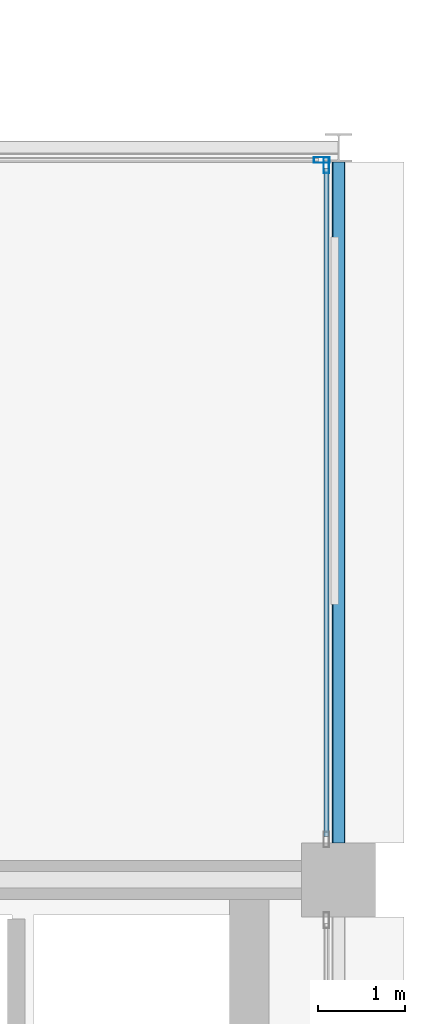
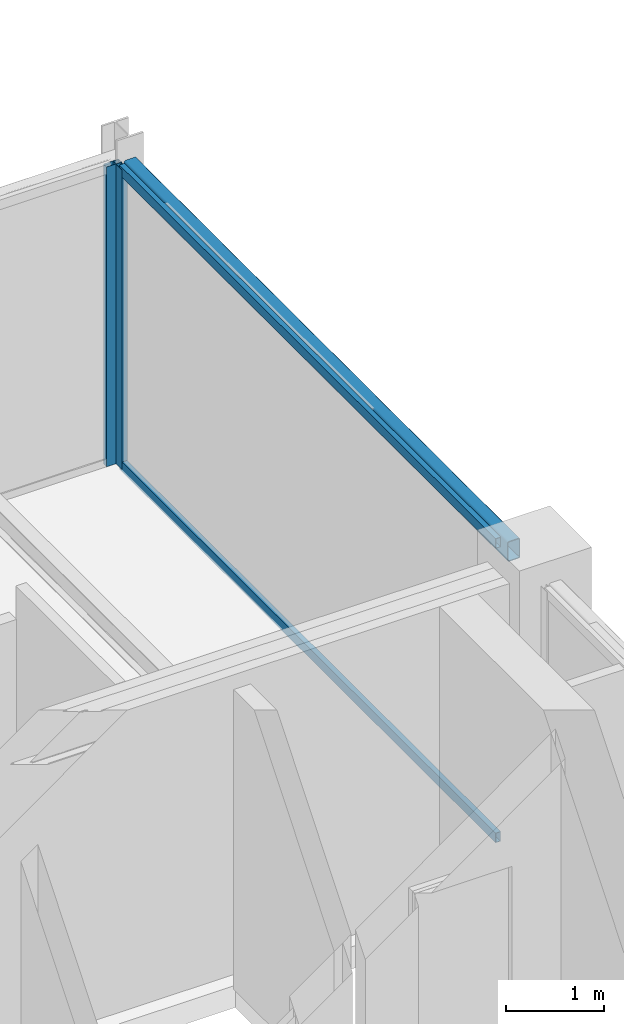
# One storey, part 15 of 25: 4 members, 1 beam, 2 elements without a shape of their own.
"""IFC4 building model written with IfcOpenShell, lengths in metres."""

import ifcopenshell
import ifcopenshell.guid

model = None  # the IFC model being written
_history = None  # IfcOwnerHistory: only IFC2X3 demands one
_inside = {}  # id of a spatial element -> (the spatial element, [elements in it])
_under = {}  # id of a project, library or spatial element -> (it, [spatial elements below it])
_declared = {}  # id of a project -> (the project, [libraries it declares])
_typed = {}  # id of a type object -> (the type object, [elements of that type])
_made_of = {}  # id of a material, layer set ... -> (it, [elements and type objects made of it])


def new_model(schema):
    """Start an empty IFC model of exactly this schema.

    Asked for "IFC4X3", IfcOpenShell would pick the latest addendum, in which some entities
    have other attributes; the version numbers below select the first issue.
    IFC2X3 requires an IfcOwnerHistory on every rooted entity: one is made here for all.
    """
    global model, _history
    if schema == "IFC4X3":
        model = ifcopenshell.file(schema_version=(4, 3, 0, 0))
    else:
        model = ifcopenshell.file(schema=schema)
    _inside.clear()
    _under.clear()
    _declared.clear()
    _typed.clear()
    _made_of.clear()
    _history = None
    if model.schema == "IFC2X3":
        org = make("IfcOrganization", Name="unknown")
        user = make(
            "IfcPersonAndOrganization",
            ThePerson=make("IfcPerson", FamilyName="unknown"),
            TheOrganization=org,
        )
        app = make(
            "IfcApplication",
            ApplicationDeveloper=org,
            Version="unknown",
            ApplicationFullName="unknown",
            ApplicationIdentifier="unknown",
        )
        _history = make(
            "IfcOwnerHistory",
            OwningUser=user,
            OwningApplication=app,
            ChangeAction="ADDED",
            CreationDate=0,
        )
    return model


def make(cls, **values):
    """One entity of the class cls with the attributes given. An attribute that is None is left unset."""
    return model.create_entity(
        cls, **{name: value for name, value in values.items() if value is not None}
    )


def rooted(cls, **values):
    """An entity with a GlobalId (a new one), such as an element, a storey or a relation."""
    return make(cls, GlobalId=ifcopenshell.guid.new(), OwnerHistory=_history, **values)


def si_unit(unit_type, name, prefix=None):
    """IfcSIUnit, for example si_unit("LENGTHUNIT", "METRE", prefix="MILLI")."""
    return make("IfcSIUnit", UnitType=unit_type, Prefix=prefix, Name=name)


def assignment(units):
    """IfcUnitAssignment: the units of a project."""
    return None if units is None else make("IfcUnitAssignment", Units=units)


def point(xyz):
    """IfcCartesianPoint."""
    return None if xyz is None else make("IfcCartesianPoint", Coordinates=xyz)


def direction(xyz):
    """IfcDirection."""
    return None if xyz is None else make("IfcDirection", DirectionRatios=xyz)


def frame(location, z_axis=None, x_axis=None):
    """IfcAxis2Placement3D, a coordinate frame: its origin and axes. An axis left out is left unset."""
    return make(
        "IfcAxis2Placement3D",
        Location=point(location),
        Axis=direction(z_axis),
        RefDirection=direction(x_axis),
    )


def frame_2d(location, x_axis=None):
    """IfcAxis2Placement2D, a coordinate frame in the plane: its origin and x axis."""
    return make(
        "IfcAxis2Placement2D", Location=point(location), RefDirection=direction(x_axis)
    )


def origin():
    """The frame at (0, 0, 0) with its axes left unset."""
    return frame((0.0, 0.0, 0.0))


def origin_2d():
    """The frame at (0, 0) in the plane with its x axis left unset."""
    return frame_2d((0.0, 0.0))


def place(relative_to, where):
    """IfcLocalPlacement: puts the frame where relative to a parent placement (None: the world)."""
    return make(
        "IfcLocalPlacement", PlacementRelTo=relative_to, RelativePlacement=where
    )


def context(
    kind, dimensions, precision=None, world=None, true_north=None, identifier=None
):
    """IfcGeometricRepresentationContext, for example the 3D "Model" context."""
    return make(
        "IfcGeometricRepresentationContext",
        ContextIdentifier=identifier,
        ContextType=kind,
        CoordinateSpaceDimension=dimensions,
        Precision=precision,
        WorldCoordinateSystem=world,
        TrueNorth=true_north,
    )


def subcontext(parent, identifier, kind, view, scale=None):
    """IfcGeometricRepresentationSubContext, for example "Body" below "Model"."""
    return make(
        "IfcGeometricRepresentationSubContext",
        ContextIdentifier=identifier,
        ContextType=kind,
        ParentContext=parent,
        TargetScale=scale,
        TargetView=view,
    )


def project(units=None, contexts=None):
    """IfcProject with its units and contexts."""
    return rooted(
        "IfcProject",
        Name="project",
        RepresentationContexts=contexts,
        UnitsInContext=assignment(units),
    )


def spatial(cls, under=None, at=None, **own):
    """A site, building, storey or space (cls), placed at a placement, below another one or the project."""
    s = rooted(cls, ObjectPlacement=at, **own)
    if under is not None:
        _under.setdefault(under.id(), (under, []))[1].append(s)
    return s


def profile(cls, at=None, kind="AREA", **sizes):
    """A parametric profile (cls). Its sizes go by their IFC names, for example OverallWidth=200.0."""
    return make(cls, ProfileType=kind, Position=at, **sizes)


def hollow_rectangle(**sizes):
    """IfcRectangleHollowProfileDef."""
    return profile("IfcRectangleHollowProfileDef", **sizes)


def extrude(swept, where, along, depth):
    """IfcExtrudedAreaSolid: the profile swept, set in the frame where, extruded along a direction by depth."""
    return make(
        "IfcExtrudedAreaSolid",
        SweptArea=swept,
        Position=where,
        ExtrudedDirection=direction(along),
        Depth=depth,
    )


def shape(context_of_items, identifier, shape_type, items):
    """IfcShapeRepresentation: the items that make up one representation, for example the "Body"."""
    return make(
        "IfcShapeRepresentation",
        ContextOfItems=context_of_items,
        RepresentationIdentifier=identifier,
        RepresentationType=shape_type,
        Items=items,
    )


def material(Name=None, Category=None):
    """IfcMaterial."""
    return make("IfcMaterial", Name=Name, Category=Category)


def layer(
    of_material, thickness, ventilated=None, Name=None, Category=None, Priority=None
):
    """IfcMaterialLayer: one layer of a wall or slab, of a material (None: an air gap)."""
    return make(
        "IfcMaterialLayer",
        Material=of_material,
        LayerThickness=thickness,
        IsVentilated=ventilated,
        Name=Name,
        Category=Category,
        Priority=Priority,
    )


def layer_set(layers, Name=None):
    """IfcMaterialLayerSet."""
    return make("IfcMaterialLayerSet", MaterialLayers=layers, LayerSetName=Name)


def material_profile(
    of_material, cross_section, Name=None, Category=None, Priority=None
):
    """IfcMaterialProfile: a cross section and its material."""
    return make(
        "IfcMaterialProfile",
        Name=Name,
        Material=of_material,
        Profile=cross_section,
        Priority=Priority,
        Category=Category,
    )


def profile_set(profiles, Name=None, composite=None):
    """IfcMaterialProfileSet."""
    return make(
        "IfcMaterialProfileSet",
        Name=Name,
        MaterialProfiles=profiles,
        CompositeProfile=composite,
    )


def made_of(thing, what):
    """Note that an element or type object is made of a material, layer set ...; save() writes the relation."""
    if what is not None:
        _made_of.setdefault(what.id(), (what, []))[1].append(thing)
    return thing


def type_object(cls, material=None, **own):
    """A type object (cls), such as IfcWallType, which elements share."""
    return made_of(rooted(cls, **own), material)


def element(
    cls,
    number,
    at=None,
    inside=None,
    cuts=None,
    type_object=None,
    material=None,
    context=None,
    identifier="Body",
    shape_type=None,
    held_by="IfcProductDefinitionShape",
    body=None,
    shapes=None,
    **own,
):
    """One element of the class cls, such as IfcWall. Its Tag is "e" and its number.

    at: its placement. inside: the storey or other place that contains it. cuts: it is an
    opening in that element (IfcRelVoidsElement). A single representation is given by context,
    identifier, shape_type and body (its items); several are given by shapes. held_by: the class
    of the entity that holds the representations. save() writes the other relations.
    """
    e = rooted(cls, Tag="e%d" % number, ObjectPlacement=at, **own)
    if body is not None:
        shapes = [shape(context, identifier, shape_type, body)]
    if shapes is not None:
        e.Representation = make(held_by, Representations=shapes)
    if inside is not None:
        _inside.setdefault(inside.id(), (inside, []))[1].append(e)
    if cuts is not None:
        rooted(
            "IfcRelVoidsElement", RelatingBuildingElement=cuts, RelatedOpeningElement=e
        )
    if type_object is not None:
        _typed.setdefault(type_object.id(), (type_object, []))[1].append(e)
    return made_of(e, material)


def aggregate(whole, parts):
    """IfcRelAggregates: a whole, such as a stair, and the parts it consists of."""
    return rooted("IfcRelAggregates", RelatingObject=whole, RelatedObjects=parts)


def save(model, path):
    """Write the relations noted so far, then the file.

    IfcRelAggregates (storeys below a building ...), IfcRelContainedInSpatialStructure (elements
    in a storey), IfcRelDefinesByType, IfcRelAssociatesMaterial and IfcRelDeclares: one each for
    every whole, place, type object, material and project.
    """
    for whole, parts in _under.values():
        aggregate(whole, parts)
    for where, things in _inside.values():
        rooted(
            "IfcRelContainedInSpatialStructure",
            RelatedElements=things,
            RelatingStructure=where,
        )
    for kind, things in _typed.values():
        rooted("IfcRelDefinesByType", RelatedObjects=things, RelatingType=kind)
    for what, things in _made_of.values():
        rooted("IfcRelAssociatesMaterial", RelatedObjects=things, RelatingMaterial=what)
    for by, libraries in _declared.values():
        rooted("IfcRelDeclares", RelatingContext=by, RelatedDefinitions=libraries)
    model.write(path)


model = new_model("IFC4")

# Units and contexts
model_context = context("Model", 3, precision=1e-05, world=origin(), true_north=direction((0.0, 1.0)))
body_context = subcontext(model_context, "Body", "Model", "MODEL_VIEW")
ifc_project = project(units=[si_unit("LENGTHUNIT", "METRE"), si_unit("AREAUNIT", "SQUARE_METRE"), si_unit("VOLUMEUNIT", "CUBIC_METRE"), si_unit("PLANEANGLEUNIT", "RADIAN"), si_unit("MASSUNIT", "GRAM", prefix="KILO")], contexts=[model_context])

# Site, building, storey
site_placement = place(None, origin())
site = spatial("IfcSite", under=ifc_project, at=site_placement, CompositionType="ELEMENT")
building_placement = place(site_placement, origin())
building = spatial("IfcBuilding", under=site, at=building_placement, Name="Nerrivon Quay Data Exchange", CompositionType="ELEMENT")
storey_placement = place(building_placement, frame((0.0, 0.0, 302.199951171875)))
storey = spatial("IfcBuildingStorey", under=building, at=storey_placement, Name="L72", CompositionType="ELEMENT", Elevation=302.199951171875)

# Beam
ifc_material_1 = material(Name="Steel Grade C350L0 (350 MPa)", Category="steel")
ifc_material_profile_1 = material_profile(ifc_material_1, hollow_rectangle(XDim=0.14990234375, YDim=0.25, WallThickness=0.009033203125, InnerFilletRadius=0.013427734375, OuterFilletRadius=0.0224609375, at=origin_2d()), Name="250x150x9.0RHS")
ifc_profile_set_1 = profile_set([ifc_material_profile_1], Name="Steel Grade C350L0 (350 MPa)")
beam_type = type_object("IfcBeamType", Name="BM-SP4-250x150RHS", PredefinedType="SPANDREL", material=ifc_profile_set_1)
beam_placement = place(storey_placement, frame((33.60009765625, 17.22509765625, 3.60009765625), z_axis=(0.0, 1.0, 0.0), x_axis=(-1.0, 0.0, 0.0)))
element("IfcBeam", 1, at=beam_placement, inside=storey, type_object=beam_type, Name="L72 NS Girder X=33.6 (16.8..25.2)", PredefinedType="SPANDREL", context=body_context, shape_type="SweptSolid", body=[
    extrude(hollow_rectangle(XDim=0.14990234375, YDim=0.25, WallThickness=0.009033203125, InnerFilletRadius=0.013427734375, OuterFilletRadius=0.0224609375, at=origin_2d()), origin(), (0.0, 0.0, 1.0), 7.8115234375),
])

# Curtain wall, member
ifc_material_2 = material(Name="Anodised aluminium 6063-T6", Category="aluminium")
ifc_layer = layer(ifc_material_2, 0.195068359375)
ifc_layer_set = layer_set([ifc_layer], Name="Anodised aluminium 6063-T6")
curtain_wall_type = type_object("IfcCurtainWallType", Name="CW-SYS-06", PredefinedType="NOTDEFINED", material=ifc_layer_set)
curtain_wall_1_placement = place(storey_placement, origin())
curtain_wall_1 = element("IfcCurtainWall", 2, at=curtain_wall_1_placement, inside=storey, type_object=curtain_wall_type, Name="L72 Unitised Curtain Wall 21", PredefinedType="NOTDEFINED")
ifc_material_profile_2 = material_profile(ifc_material_2, hollow_rectangle(XDim=0.06494140625, YDim=0.179931640625, WallThickness=0.00341796875, at=origin_2d()), Name="ALU-MULL-180x65")
ifc_profile_set_2 = profile_set([ifc_material_profile_2], Name="Anodised aluminium 6063-T6")
member_type_1 = type_object("IfcMemberType", Name="CWM-180x65", PredefinedType="MULLION", material=ifc_profile_set_2)
member_1_placement = place(storey_placement, frame((33.406982421875, 25.06005859375, 0.0), z_axis=(0.0, 0.0, 1.0), x_axis=(0.0, 1.0, 0.0)))
member_1 = element("IfcMember", 3, at=member_1_placement, type_object=member_type_1, Name="CW06 mullion 2", PredefinedType="MULLION", context=body_context, shape_type="SweptSolid", body=[
    extrude(hollow_rectangle(XDim=0.06494140625, YDim=0.179931640625, WallThickness=0.00341796875, at=origin_2d()), origin(), (0.0, 0.0, 1.0), 3.72509765625),
])
aggregate(curtain_wall_1, [member_1])

# Curtain wall, members
curtain_wall_2_placement = place(storey_placement, origin())
curtain_wall_2 = element("IfcCurtainWall", 4, at=curtain_wall_2_placement, inside=storey, type_object=curtain_wall_type, Name="L72 Unitised Curtain Wall 22", PredefinedType="NOTDEFINED")
member_2_placement = place(storey_placement, frame((33.4599609375, 24.9990234375, 0.0), z_axis=(0.0, 0.0, 1.0), x_axis=(1.0, 0.0, 0.0)))
member_2 = element("IfcMember", 5, at=member_2_placement, type_object=member_type_1, Name="CW06 mullion 1", PredefinedType="MULLION", context=body_context, shape_type="SweptSolid", body=[
    extrude(hollow_rectangle(XDim=0.06494140625, YDim=0.179931640625, WallThickness=0.00341796875, at=origin_2d()), origin(), (0.0, 0.0, 1.0), 3.72509765625),
])
ifc_material_profile_3 = material_profile(ifc_material_2, hollow_rectangle(XDim=0.06005859375, YDim=0.1201171875, WallThickness=0.003173828125, at=origin_2d()), Name="ALU-TRAN-120x60")
ifc_profile_set_3 = profile_set([ifc_material_profile_3], Name="Anodised aluminium 6063-T6")
member_type_2 = type_object("IfcMemberType", Name="CWT-120x60", PredefinedType="USERDEFINED", material=ifc_profile_set_3)
member_3_placement = place(storey_placement, frame((33.4599609375, 24.96142578125, 0.032470703125), z_axis=(0.0, -1.0, 0.0), x_axis=(1.0, 0.0, 0.0)))
member_3 = element("IfcMember", 6, at=member_3_placement, type_object=member_type_2, Name="CW06 transom 1.1", ObjectType="TRANSOM", PredefinedType="USERDEFINED", context=body_context, shape_type="SweptSolid", body=[
    extrude(hollow_rectangle(XDim=0.06005859375, YDim=0.1201171875, WallThickness=0.003173828125, at=origin_2d()), origin(), (0.0, 0.0, 1.0), 7.661376953125),
])
member_4_placement = place(storey_placement, frame((33.4599609375, 24.96142578125, 3.692626953125), z_axis=(0.0, -1.0, 0.0), x_axis=(1.0, 0.0, 0.0)))
member_4 = element("IfcMember", 7, at=member_4_placement, type_object=member_type_2, Name="CW06 transom 1.2", ObjectType="TRANSOM", PredefinedType="USERDEFINED", context=body_context, shape_type="SweptSolid", body=[
    extrude(hollow_rectangle(XDim=0.06005859375, YDim=0.1201171875, WallThickness=0.003173828125, at=origin_2d()), origin(), (0.0, 0.0, 1.0), 7.661376953125),
])
aggregate(curtain_wall_2, [member_2, member_3, member_4])

save(model, "model.ifc")
